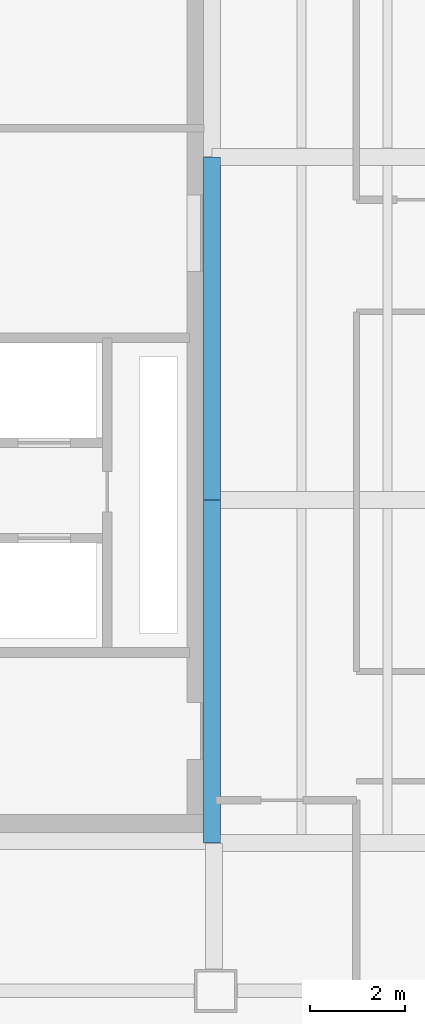
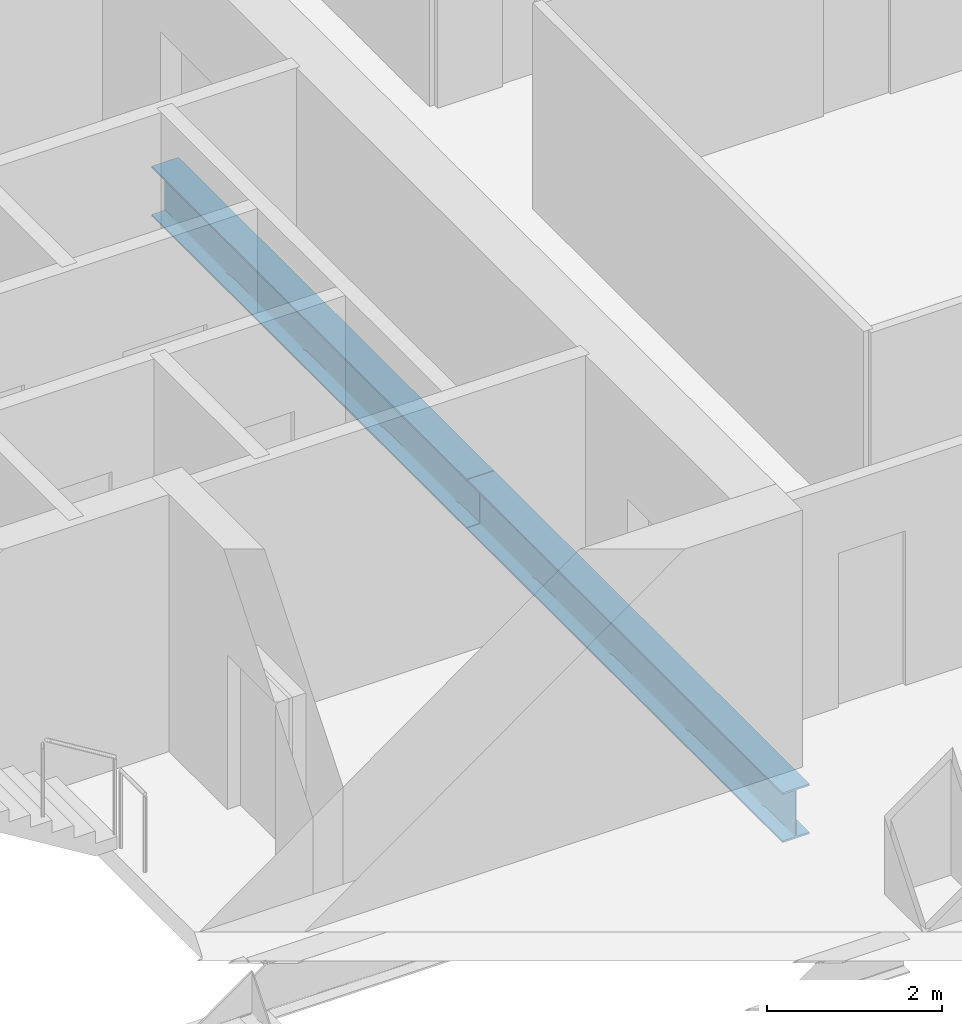
# One storey, part 3 of 24: 2 beams.
"""IFC4 building model written with IfcOpenShell, lengths in metres."""

from ifc_helpers import new_model, si_unit, direction, frame, origin, origin_2d, place, context, subcontext, project, spatial, i_section, extrude, material, material_profile, profile_set, type_object, element, save


model = new_model("IFC4")

# Units and contexts
model_context = context("Model", 3, precision=1e-05, world=origin(), true_north=direction((0.0, 1.0)))
body_context = subcontext(model_context, "Body", "Model", "MODEL_VIEW")
ifc_project = project(units=[si_unit("LENGTHUNIT", "METRE"), si_unit("AREAUNIT", "SQUARE_METRE"), si_unit("VOLUMEUNIT", "CUBIC_METRE"), si_unit("PLANEANGLEUNIT", "RADIAN"), si_unit("MASSUNIT", "GRAM", prefix="KILO")], contexts=[model_context])

# Site, building, storey
site_placement = place(None, origin())
site = spatial("IfcSite", under=ifc_project, at=site_placement, CompositionType="ELEMENT")
building_placement = place(site_placement, origin())
building = spatial("IfcBuilding", under=site, at=building_placement, Name="Cobrela Telecom Tower", CompositionType="ELEMENT")
storey_placement = place(building_placement, frame((0.0, 0.0, 121.449951171875)))
storey = spatial("IfcBuildingStorey", under=building, at=storey_placement, Name="L30", CompositionType="ELEMENT", Elevation=121.449951171875)

# Beams
ifc_material = material(Name="Steel ASTM A992 Grade 50", Category="steel")
ifc_material_profile = material_profile(ifc_material, i_section(OverallWidth=0.35595703125, OverallDepth=0.696044921875, WebThickness=0.015380859375, FlangeThickness=0.024658203125, FilletRadius=0.01806640625, at=origin_2d()), Name="W27X146")
ifc_profile_set = profile_set([ifc_material_profile], Name="Steel ASTM A992 Grade 50")
beam_type = type_object("IfcBeamType", Name="BM-GIRD-05", PredefinedType="USERDEFINED", material=ifc_profile_set)
for number, where, z_axis, x_axis, name in (
    (1, (14.320068359375, 7.205078125, -0.617919921875), (0.0, 1.0, 0.0), (-1.0, 0.0, 0.0), "L30 Primary Girder Y34"),
    (2, (14.320068359375, 14.405029296875, -0.617919921875), (0.0, 1.0, 0.0), (-1.0, 0.0, 0.0), "L30 Primary Girder Y35"),
):
    element("IfcBeam", number, at=place(storey_placement, frame(where, z_axis=z_axis, x_axis=x_axis)), inside=storey, type_object=beam_type, Name=name, ObjectType="GIRDER", PredefinedType="USERDEFINED", context=body_context, shape_type="SweptSolid", body=[
        extrude(i_section(OverallWidth=0.35595703125, OverallDepth=0.696044921875, WebThickness=0.015380859375, FlangeThickness=0.024658203125, FilletRadius=0.01806640625, at=origin_2d()), origin(), (0.0, 0.0, 1.0), 7.18994140625),
    ])

save(model, "model.ifc")
